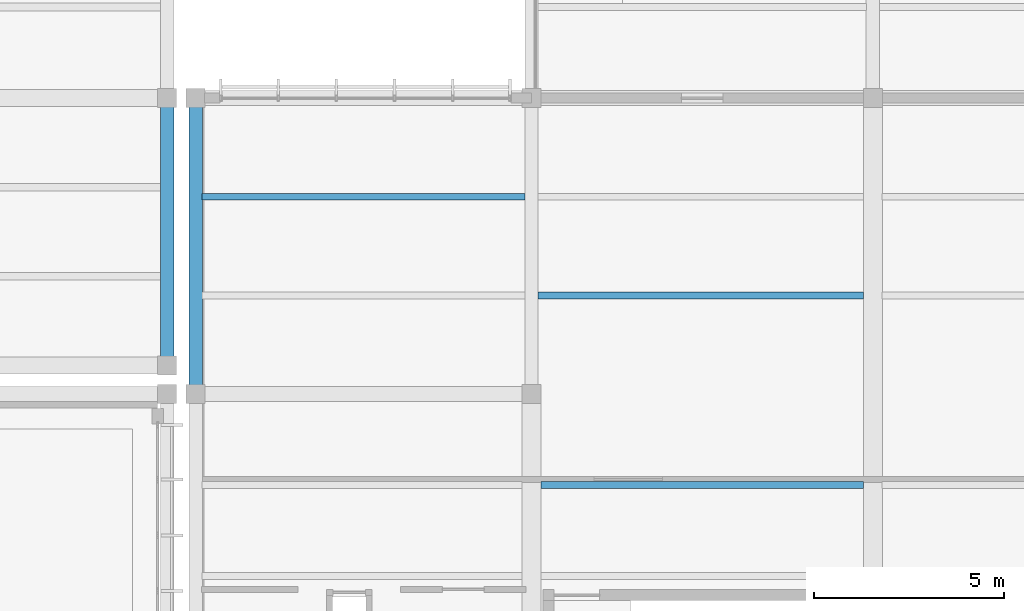
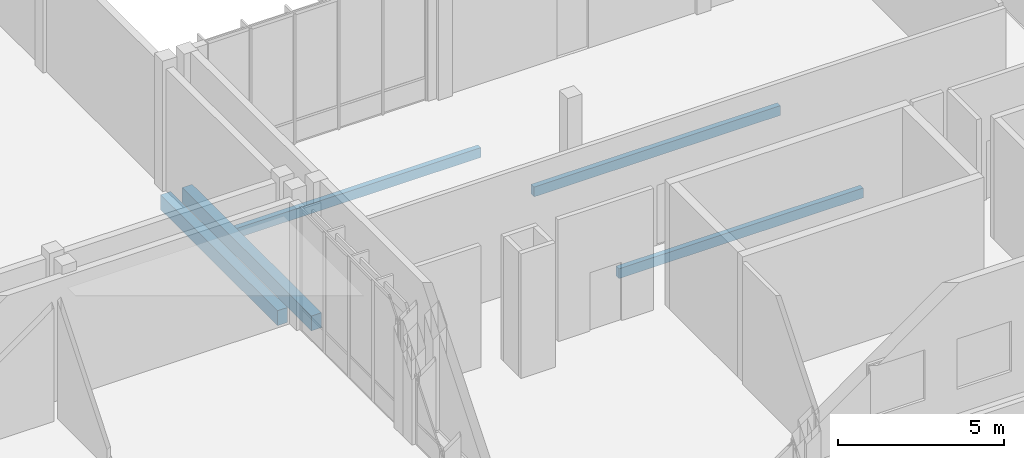
# One storey, part 39 of 177: 5 beams.
"""IFC4 building model written with IfcOpenShell, lengths in metres."""

from ifc_helpers import new_model, si_unit, direction, frame, origin, origin_2d, place, context, subcontext, project, spatial, rectangle, extrude, material, material_profile, profile_set, type_object, element, save


model = new_model("IFC4")

# Units and contexts
model_context = context("Model", 3, precision=1e-05, world=origin(), true_north=direction((0.0, 1.0)))
body_context = subcontext(model_context, "Body", "Model", "MODEL_VIEW")
ifc_project = project(units=[si_unit("LENGTHUNIT", "METRE"), si_unit("AREAUNIT", "SQUARE_METRE"), si_unit("VOLUMEUNIT", "CUBIC_METRE"), si_unit("PLANEANGLEUNIT", "RADIAN"), si_unit("MASSUNIT", "GRAM", prefix="KILO")], contexts=[model_context])

# Site, building, storey
site_placement = place(None, origin())
site = spatial("IfcSite", under=ifc_project, at=site_placement, CompositionType="ELEMENT")
building_placement = place(site_placement, origin())
building = spatial("IfcBuilding", under=site, at=building_placement, Name="Chiffa Square Polytechnic", CompositionType="ELEMENT")
storey_placement = place(building_placement, frame((0.0, 0.0, 4.800048828125)))
storey = spatial("IfcBuildingStorey", under=building, at=storey_placement, Name="L01", CompositionType="ELEMENT", Elevation=4.800048828125)

# Beams
ifc_material_1 = material(Name="Concrete C35/45", Category="concrete")
ifc_material_profile_1 = material_profile(ifc_material_1, rectangle(XDim=0.35009765625, YDim=0.550048828125, at=origin_2d()), Name="RC 350x550")
ifc_profile_set_1 = profile_set([ifc_material_profile_1], Name="Concrete C35/45")
beam_type_1 = type_object("IfcBeamType", Name="BM-RC-350X550", PredefinedType="BEAM", material=ifc_profile_set_1)
beam_1_placement = place(storey_placement, frame((48.75, 36.0, -0.554931640625), z_axis=(0.0, 1.0, 0.0), x_axis=(-1.0, 0.0, 0.0)))
element("IfcBeam", 1, at=beam_1_placement, inside=storey, type_object=beam_type_1, Name="Primary floor girder BM-V4-L01-Y-0488-0360", PredefinedType="BEAM", context=body_context, shape_type="SweptSolid", body=[
    extrude(rectangle(XDim=0.35009765625, YDim=0.550048828125, at=origin_2d()), origin(), (0.0, 0.0, 1.0), 7.800048828125),
])
beam_2_placement = place(storey_placement, frame((48.0, 36.75, -0.554931640625), z_axis=(0.0, 1.0, 0.0), x_axis=(-1.0, 0.0, 0.0)))
element("IfcBeam", 2, at=beam_2_placement, inside=storey, type_object=beam_type_1, Name="Primary floor girder BM-V6-L01-Y-0480-0368", PredefinedType="BEAM", context=body_context, shape_type="SweptSolid", body=[
    extrude(rectangle(XDim=0.35009765625, YDim=0.550048828125, at=origin_2d()), origin(), (0.0, 0.0, 1.0), 7.050048828125),
])
ifc_material_2 = material(Name="Glulam GL28h", Category="wood")
ifc_material_profile_2 = material_profile(ifc_material_2, rectangle(XDim=0.179931640625, YDim=0.360107421875, at=origin_2d()), Name="GL28h 180x360")
ifc_profile_set_2 = profile_set([ifc_material_profile_2], Name="Glulam GL28h")
beam_type_2 = type_object("IfcBeamType", Name="JST-GL-180X360", PredefinedType="JOIST", material=ifc_profile_set_2)
beam_3_placement = place(storey_placement, frame((48.923095703125, 41.199951171875, -0.4599609375), z_axis=(1.0, 0.0, 0.0), x_axis=(0.0, 1.0, 0.0)))
element("IfcBeam", 3, at=beam_3_placement, inside=storey, type_object=beam_type_2, Name="Secondary floor joist JST-V4-L01-0488-0412", PredefinedType="JOIST", context=body_context, shape_type="SweptSolid", body=[
    extrude(rectangle(XDim=0.179931640625, YDim=0.360107421875, at=origin_2d()), origin(), (0.0, 0.0, 1.0), 8.50390625),
])
beam_4_placement = place(storey_placement, frame((57.847900390625, 33.60009765625, -0.4599609375), z_axis=(1.0, 0.0, 0.0), x_axis=(0.0, 1.0, 0.0)))
element("IfcBeam", 4, at=beam_4_placement, inside=storey, type_object=beam_type_2, Name="Secondary floor joist JST-V4-L01-0576-0336", PredefinedType="JOIST", context=body_context, shape_type="SweptSolid", body=[
    extrude(rectangle(XDim=0.179931640625, YDim=0.360107421875, at=origin_2d()), origin(), (0.0, 0.0, 1.0), 8.504150390625),
])
beam_5_placement = place(storey_placement, frame((57.77294921875, 38.60009765625, -0.4599609375), z_axis=(1.0, 0.0, 0.0), x_axis=(0.0, 1.0, 0.0)))
element("IfcBeam", 5, at=beam_5_placement, inside=storey, type_object=beam_type_2, Name="Secondary floor joist JST-V4-L01-0576-0386", PredefinedType="JOIST", context=body_context, shape_type="SweptSolid", body=[
    extrude(rectangle(XDim=0.179931640625, YDim=0.360107421875, at=origin_2d()), origin(), (0.0, 0.0, 1.0), 8.5791015625),
])

save(model, "model.ifc")
